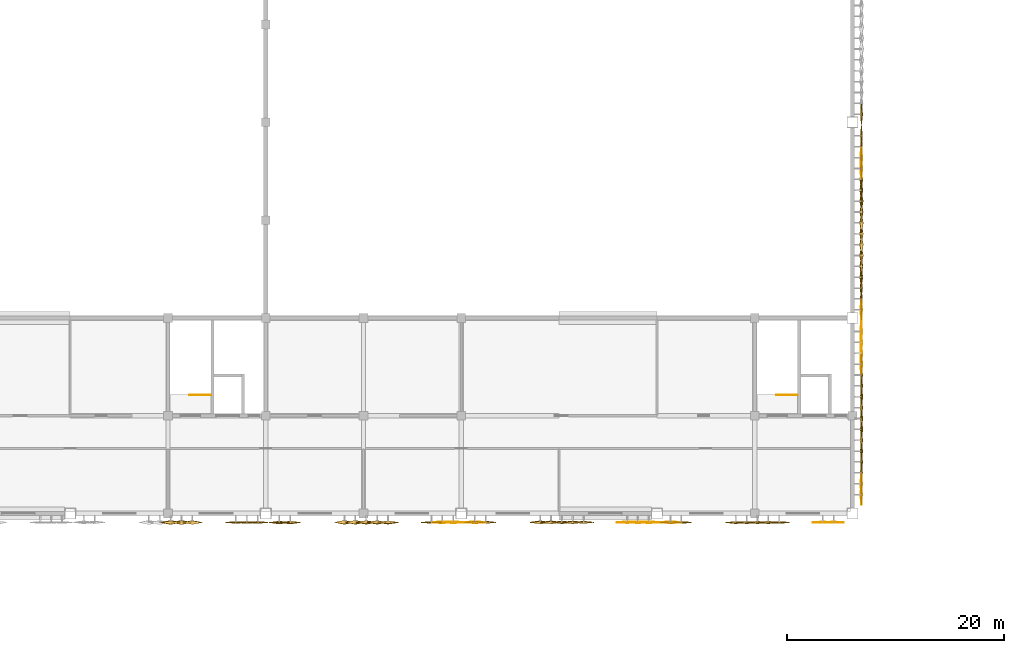
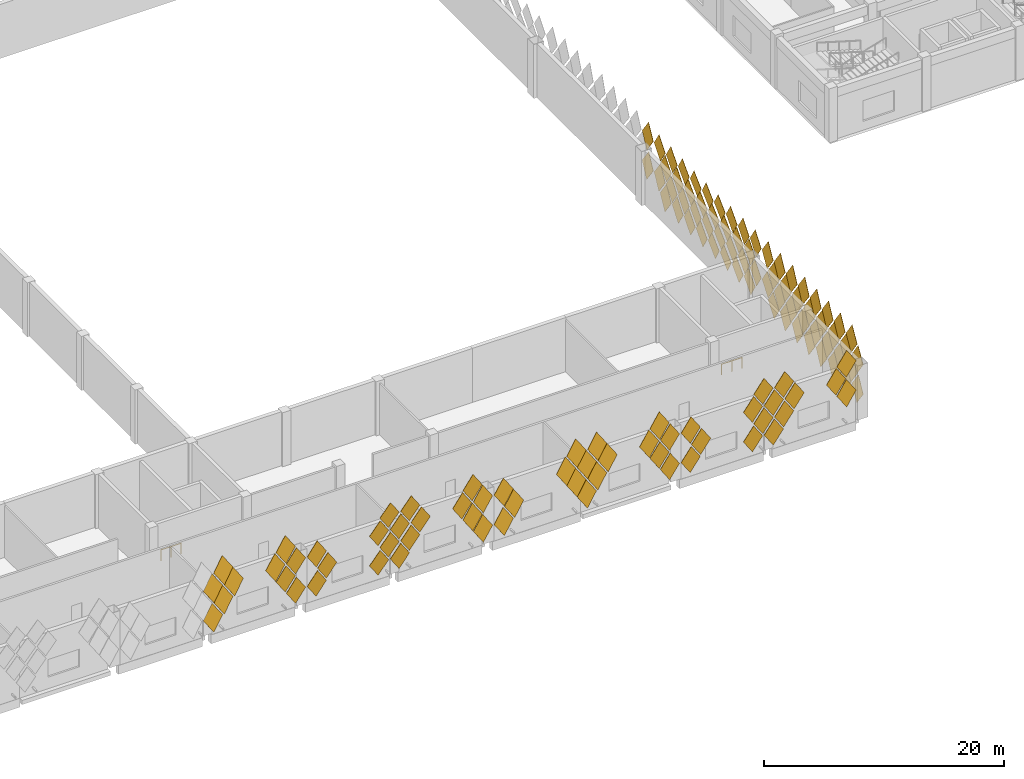
# One storey, part 173 of 185: 126 coverings, 2 railings.
"""IFC4 building model written with IfcOpenShell, lengths in metres."""

from ifc_helpers import new_model, si_unit, direction, frame, origin, origin_2d, place, context, subcontext, project, spatial, polyline, circle, outline, extrude, material, constituent, constituent_set, material_profile, profile_set, type_object, element, save


model = new_model("IFC4")

# Units and contexts
model_context = context("Model", 3, precision=1e-05, world=origin(), true_north=direction((0.0, 1.0)))
body_context = subcontext(model_context, "Body", "Model", "MODEL_VIEW")
ifc_project = project(units=[si_unit("LENGTHUNIT", "METRE"), si_unit("AREAUNIT", "SQUARE_METRE"), si_unit("VOLUMEUNIT", "CUBIC_METRE"), si_unit("PLANEANGLEUNIT", "RADIAN"), si_unit("MASSUNIT", "GRAM", prefix="KILO")], contexts=[model_context])

# Site, building, storey
site_placement = place(None, origin())
site = spatial("IfcSite", under=ifc_project, at=site_placement, CompositionType="ELEMENT")
building_placement = place(site_placement, origin())
building = spatial("IfcBuilding", under=site, at=building_placement, Name="Opaline Strait Convention Centre", CompositionType="ELEMENT")
storey_placement = place(building_placement, frame((0.0, 0.0, 6.0)))
storey = spatial("IfcBuildingStorey", under=building, at=storey_placement, Name="L01", CompositionType="ELEMENT", Elevation=6.0)

# Coverings
ifc_material_1 = material(Name="White ceramic-faced aluminium tile", Category="aluminium")
ifc_material_profile_1 = material_profile(ifc_material_1, outline(polyline([(0.927978515625, 0.0), (0.0, 1.39208984375), (-0.927978515625, 0.0), (0.0, -1.39208984375), (0.927978515625, 0.0)])), Name="Diamond tile 1856x2784")
ifc_profile_set_1 = profile_set([ifc_material_profile_1], Name="White ceramic-faced aluminium tile")
covering_type_1 = type_object("IfcCoveringType", Name="Diamond wall tile 1856x2784x30 pivot 1 deg", PredefinedType="CLADDING", material=ifc_profile_set_1)
for number, where, z_axis, x_axis, name in (
    (1, (259.25, 53.199951171875, 3.39208984375), (0.0, -0.999867829764, 0.016258013492), (1.0, 0.0, 0.0), "Wall tile XT02 S"),
    (2, (258.25, 53.199951171875, 4.89208984375), (0.0, -0.999702690643, -0.024382992455), (1.0, 0.0, 0.0), "Wall tile XT02 S"),
    (3, (259.25, 53.199951171875, 6.39208984375), (0.0, -0.999702690643, -0.024382992455), (1.0, 0.0, 0.0), "Wall tile XT02 S"),
):
    element("IfcCovering", number, at=place(storey_placement, frame(where, z_axis=z_axis, x_axis=x_axis)), inside=storey, type_object=covering_type_1, Name=name, PredefinedType="CLADDING", context=body_context, shape_type="SweptSolid", body=[
        extrude(outline(polyline([(0.927978515625, 0.0), (0.0, 1.39208984375), (-0.927978515625, 0.0), (0.0, -1.39208984375), (0.927978515625, 0.0)])), origin(), (0.0, 0.0, 1.0), 0.030029296875),
    ])
ifc_material_profile_2 = material_profile(ifc_material_1, outline(polyline([(0.927978515625, 0.0), (0.0, 1.39208984375), (-0.927978515625, 0.0), (0.0, -1.39208984375), (0.927978515625, 0.0)])), Name="Diamond tile 1856x2784")
ifc_profile_set_2 = profile_set([ifc_material_profile_2], Name="White ceramic-faced aluminium tile")
covering_type_2 = type_object("IfcCoveringType", Name="Diamond wall tile 1856x2784x30 pivot 1.5 deg", PredefinedType="CLADDING", material=ifc_profile_set_2)
for number, where, z_axis, x_axis, name in (
    (4, (261.800048828125, 55.75, 4.39208984375), (0.999471633277, 0.0, -0.032503142546), (0.0, 1.0, 0.0), "Wall tile XT03 E"),
    (5, (261.800048828125, 56.75, 5.89208984375), (0.999471633277, 0.0, -0.032503142546), (0.0, 1.0, 0.0), "Wall tile XT03 E"),
):
    element("IfcCovering", number, at=place(storey_placement, frame(where, z_axis=z_axis, x_axis=x_axis)), inside=storey, type_object=covering_type_2, Name=name, PredefinedType="CLADDING", context=body_context, shape_type="SweptSolid", body=[
        extrude(outline(polyline([(0.927978515625, 0.0), (0.0, 1.39208984375), (-0.927978515625, 0.0), (0.0, -1.39208984375), (0.927978515625, 0.0)])), origin(), (0.0, 0.0, 1.0), 0.030029296875),
    ])
ifc_material_profile_3 = material_profile(ifc_material_1, outline(polyline([(0.927978515625, 0.0), (0.0, 1.39208984375), (-0.927978515625, 0.0), (0.0, -1.39208984375), (0.927978515625, 0.0)])), Name="Diamond tile 1856x2784")
ifc_profile_set_3 = profile_set([ifc_material_profile_3], Name="White ceramic-faced aluminium tile")
covering_type_3 = type_object("IfcCoveringType", Name="Diamond wall tile 1856x2784x30 pivot 2 deg", PredefinedType="CLADDING", material=ifc_profile_set_3)
for number, where, z_axis, x_axis, name in (
    (6, (242.25, 53.199951171875, 1.89208984375), (0.0, -0.999174794796, -0.040616861577), (1.0, 0.0, 0.0), "Wall tile XT04 S"),
    (7, (241.25, 53.199951171875, 3.39208984375), (0.0, -0.999174794796, -0.040616861577), (1.0, 0.0, 0.0), "Wall tile XT04 S"),
    (8, (240.25, 53.199951171875, 4.89208984375), (0.0, -0.999471633277, 0.032503142546), (1.0, 0.0, 0.0), "Wall tile XT04 S"),
    (9, (242.25, 53.199951171875, 4.89208984375), (0.0, -0.999174794796, -0.040616861577), (1.0, 0.0, 0.0), "Wall tile XT04 S"),
    (10, (244.25, 53.199951171875, 4.89208984375), (0.0, -0.999174794796, -0.040616861577), (1.0, 0.0, 0.0), "Wall tile XT04 S"),
    (11, (241.25, 53.199951171875, 6.39208984375), (0.0, -0.999471633277, 0.032503142546), (1.0, 0.0, 0.0), "Wall tile XT04 S"),
    (12, (261.800048828125, 67.75, 1.39208984375), (0.999174794796, 0.0, -0.040616861577), (0.0, 1.0, 0.0), "Wall tile XT04 E"),
    (13, (261.800048828125, 69.75, 1.39208984375), (0.999471633277, 0.0, 0.032503142546), (0.0, 1.0, 0.0), "Wall tile XT04 E"),
    (14, (261.800048828125, 68.75, 2.89208984375), (0.999174794796, 0.0, -0.040616861577), (0.0, 1.0, 0.0), "Wall tile XT04 E"),
    (15, (261.800048828125, 70.75, 2.89208984375), (0.999471633277, 0.0, 0.032503142546), (0.0, 1.0, 0.0), "Wall tile XT04 E"),
    (16, (261.800048828125, 69.75, 4.39208984375), (0.999174794796, 0.0, -0.040616861577), (0.0, 1.0, 0.0), "Wall tile XT04 E"),
    (17, (261.800048828125, 70.75, 5.89208984375), (0.999174794796, 0.0, -0.040616861577), (0.0, 1.0, 0.0), "Wall tile XT04 E"),
    (18, (261.800048828125, 72.75, 5.89208984375), (0.999471633277, 0.0, 0.032503142546), (0.0, 1.0, 0.0), "Wall tile XT04 E"),
):
    element("IfcCovering", number, at=place(storey_placement, frame(where, z_axis=z_axis, x_axis=x_axis)), inside=storey, type_object=covering_type_3, Name=name, PredefinedType="CLADDING", context=body_context, shape_type="SweptSolid", body=[
        extrude(outline(polyline([(0.927978515625, 0.0), (0.0, 1.39208984375), (-0.927978515625, 0.0), (0.0, -1.39208984375), (0.927978515625, 0.0)])), origin(), (0.0, 0.0, 1.0), 0.030029296875),
    ])
ifc_material_profile_4 = material_profile(ifc_material_1, outline(polyline([(0.927978515625, 0.0), (0.0, 1.39208984375), (-0.927978515625, 0.0), (0.0, -1.39208984375), (0.927978515625, 0.0)])), Name="Diamond tile 1856x2784")
ifc_profile_set_4 = profile_set([ifc_material_profile_4], Name="White ceramic-faced aluminium tile")
covering_type_4 = type_object("IfcCoveringType", Name="Diamond wall tile 1856x2784x30 pivot 2.5 deg", PredefinedType="CLADDING", material=ifc_profile_set_4)
for number, where, z_axis, x_axis, name in (
    (19, (224.25, 53.199951171875, 1.89208984375), (0.0, -0.999174794796, 0.040616861577), (1.0, 0.0, 0.0), "Wall tile XT05 S"),
    (20, (223.25, 53.199951171875, 3.39208984375), (0.0, -0.999174794796, 0.040616861577), (1.0, 0.0, 0.0), "Wall tile XT05 S"),
    (21, (208.25, 53.199951171875, 4.89208984375), (0.0, -0.998812351125, -0.048722553713), (1.0, 0.0, 0.0), "Wall tile XT05 S"),
    (22, (222.25, 53.199951171875, 4.89208984375), (0.0, -0.998812351125, -0.048722553713), (1.0, 0.0, 0.0), "Wall tile XT05 S"),
    (23, (224.25, 53.199951171875, 4.89208984375), (0.0, -0.999174794796, 0.040616861577), (1.0, 0.0, 0.0), "Wall tile XT05 S"),
    (24, (226.25, 53.199951171875, 4.89208984375), (0.0, -0.999174794796, 0.040616861577), (1.0, 0.0, 0.0), "Wall tile XT05 S"),
    (25, (223.25, 53.199951171875, 6.39208984375), (0.0, -0.998812351125, -0.048722553713), (1.0, 0.0, 0.0), "Wall tile XT05 S"),
    (26, (261.800048828125, 65.75, 1.39208984375), (0.998812351125, 0.0, -0.048722553713), (0.0, 1.0, 0.0), "Wall tile XT05 E"),
    (27, (261.800048828125, 85.75, 1.39208984375), (0.999174794796, 0.0, 0.040616861577), (0.0, 1.0, 0.0), "Wall tile XT05 E"),
    (28, (261.800048828125, 56.75, 2.89208984375), (0.998812351125, 0.0, -0.048722553713), (0.0, 1.0, 0.0), "Wall tile XT05 E"),
    (29, (261.800048828125, 66.75, 2.89208984375), (0.998812351125, 0.0, -0.048722553713), (0.0, 1.0, 0.0), "Wall tile XT05 E"),
    (30, (261.800048828125, 86.75, 2.89208984375), (0.999174794796, 0.0, 0.040616861577), (0.0, 1.0, 0.0), "Wall tile XT05 E"),
    (31, (261.800048828125, 57.75, 4.39208984375), (0.998812351125, 0.0, -0.048722553713), (0.0, 1.0, 0.0), "Wall tile XT05 E"),
):
    element("IfcCovering", number, at=place(storey_placement, frame(where, z_axis=z_axis, x_axis=x_axis)), inside=storey, type_object=covering_type_4, Name=name, PredefinedType="CLADDING", context=body_context, shape_type="SweptSolid", body=[
        extrude(outline(polyline([(0.927978515625, 0.0), (0.0, 1.39208984375), (-0.927978515625, 0.0), (0.0, -1.39208984375), (0.927978515625, 0.0)])), origin(), (0.0, 0.0, 1.0), 0.030029296875),
    ])
ifc_material_profile_5 = material_profile(ifc_material_1, outline(polyline([(0.927978515625, 0.0), (0.0, 1.39208984375), (-0.927978515625, 0.0), (0.0, -1.39208984375), (0.927978515625, 0.0)])), Name="Diamond tile 1856x2784")
ifc_profile_set_5 = profile_set([ifc_material_profile_5], Name="White ceramic-faced aluminium tile")
covering_type_5 = type_object("IfcCoveringType", Name="Diamond wall tile 1856x2784x30 pivot 3 deg", PredefinedType="CLADDING", material=ifc_profile_set_5)
for number, where, z_axis, x_axis, name in (
    (32, (206.25, 53.199951171875, 1.89208984375), (0.0, -0.998384516691, -0.056818631031), (1.0, 0.0, 0.0), "Wall tile XT06 S"),
    (33, (205.25, 53.199951171875, 3.39208984375), (0.0, -0.998384516691, -0.056818631031), (1.0, 0.0, 0.0), "Wall tile XT06 S"),
    (34, (245.25, 53.199951171875, 3.39208984375), (0.0, -0.998384516691, -0.056818631031), (1.0, 0.0, 0.0), "Wall tile XT06 S"),
    (35, (204.25, 53.199951171875, 4.89208984375), (0.0, -0.998812351125, 0.048722553713), (1.0, 0.0, 0.0), "Wall tile XT06 S"),
    (36, (206.25, 53.199951171875, 4.89208984375), (0.0, -0.998384516691, -0.056818631031), (1.0, 0.0, 0.0), "Wall tile XT06 S"),
    (37, (254.25, 53.199951171875, 4.89208984375), (0.0, -0.998384516691, -0.056818631031), (1.0, 0.0, 0.0), "Wall tile XT06 S"),
    (38, (205.25, 53.199951171875, 6.39208984375), (0.0, -0.998812351125, 0.048722553713), (1.0, 0.0, 0.0), "Wall tile XT06 S"),
    (39, (261.800048828125, 55.75, 1.39208984375), (0.998384516691, 0.0, -0.056818631031), (0.0, 1.0, 0.0), "Wall tile XT06 E"),
    (40, (261.800048828125, 87.75, 1.39208984375), (0.998384516691, 0.0, -0.056818631031), (0.0, 1.0, 0.0), "Wall tile XT06 E"),
    (41, (261.800048828125, 72.75, 2.89208984375), (0.998812351125, 0.0, 0.048722553713), (0.0, 1.0, 0.0), "Wall tile XT06 E"),
    (42, (261.800048828125, 88.75, 2.89208984375), (0.998384516691, 0.0, -0.056818631031), (0.0, 1.0, 0.0), "Wall tile XT06 E"),
    (43, (261.800048828125, 67.75, 4.39208984375), (0.998384516691, 0.0, -0.056818631031), (0.0, 1.0, 0.0), "Wall tile XT06 E"),
    (44, (261.800048828125, 73.75, 4.39208984375), (0.998812351125, 0.0, 0.048722553713), (0.0, 1.0, 0.0), "Wall tile XT06 E"),
    (45, (261.800048828125, 87.75, 4.39208984375), (0.998812351125, 0.0, 0.048722553713), (0.0, 1.0, 0.0), "Wall tile XT06 E"),
    (46, (261.800048828125, 58.75, 5.89208984375), (0.998384516691, 0.0, -0.056818631031), (0.0, 1.0, 0.0), "Wall tile XT06 E"),
    (47, (261.800048828125, 68.75, 5.89208984375), (0.998384516691, 0.0, -0.056818631031), (0.0, 1.0, 0.0), "Wall tile XT06 E"),
    (48, (261.800048828125, 74.75, 5.89208984375), (0.998812351125, 0.0, 0.048722553713), (0.0, 1.0, 0.0), "Wall tile XT06 E"),
    (49, (261.800048828125, 88.75, 5.89208984375), (0.998812351125, 0.0, 0.048722553713), (0.0, 1.0, 0.0), "Wall tile XT06 E"),
    (50, (261.800048828125, 90.75, 5.89208984375), (0.998384516691, 0.0, -0.056818631031), (0.0, 1.0, 0.0), "Wall tile XT06 E"),
):
    element("IfcCovering", number, at=place(storey_placement, frame(where, z_axis=z_axis, x_axis=x_axis)), inside=storey, type_object=covering_type_5, Name=name, PredefinedType="CLADDING", context=body_context, shape_type="SweptSolid", body=[
        extrude(outline(polyline([(0.927978515625, 0.0), (0.0, 1.39208984375), (-0.927978515625, 0.0), (0.0, -1.39208984375), (0.927978515625, 0.0)])), origin(), (0.0, 0.0, 1.0), 0.030029296875),
    ])
ifc_material_profile_6 = material_profile(ifc_material_1, outline(polyline([(0.927978515625, 0.0), (0.0, 1.39208984375), (-0.927978515625, 0.0), (0.0, -1.39208984375), (0.927978515625, 0.0)])), Name="Diamond tile 1856x2784")
ifc_profile_set_6 = profile_set([ifc_material_profile_6], Name="White ceramic-faced aluminium tile")
covering_type_6 = type_object("IfcCoveringType", Name="Diamond wall tile 1856x2784x30 pivot 3.5 deg", PredefinedType="CLADDING", material=ifc_profile_set_6)
for number, where, z_axis, x_axis, name in (
    (51, (244.25, 53.199951171875, 1.89208984375), (0.0, -0.99785694905, -0.065433242561), (1.0, 0.0, 0.0), "Wall tile XT07 S"),
    (52, (252.25, 53.199951171875, 1.89208984375), (0.0, -0.99785694905, -0.065433242561), (1.0, 0.0, 0.0), "Wall tile XT07 S"),
    (53, (253.25, 53.199951171875, 3.39208984375), (0.0, -0.99785694905, -0.065433242561), (1.0, 0.0, 0.0), "Wall tile XT07 S"),
    (54, (261.800048828125, 57.75, 1.39208984375), (0.99785694905, 0.0, -0.065433242561), (0.0, 1.0, 0.0), "Wall tile XT07 E"),
    (55, (261.800048828125, 63.75, 1.39208984375), (0.99785694905, 0.0, -0.065433242561), (0.0, 1.0, 0.0), "Wall tile XT07 E"),
    (56, (261.800048828125, 83.75, 1.39208984375), (0.99835799028, 0.0, 0.057282835508), (0.0, 1.0, 0.0), "Wall tile XT07 E"),
    (57, (261.800048828125, 84.75, 2.89208984375), (0.99835799028, 0.0, 0.057282835508), (0.0, 1.0, 0.0), "Wall tile XT07 E"),
    (58, (261.800048828125, 59.75, 4.39208984375), (0.99785694905, 0.0, -0.065433242561), (0.0, 1.0, 0.0), "Wall tile XT07 E"),
    (59, (261.800048828125, 60.75, 5.89208984375), (0.99785694905, 0.0, -0.065433242561), (0.0, 1.0, 0.0), "Wall tile XT07 E"),
):
    element("IfcCovering", number, at=place(storey_placement, frame(where, z_axis=z_axis, x_axis=x_axis)), inside=storey, type_object=covering_type_6, Name=name, PredefinedType="CLADDING", context=body_context, shape_type="SweptSolid", body=[
        extrude(outline(polyline([(0.927978515625, 0.0), (0.0, 1.39208984375), (-0.927978515625, 0.0), (0.0, -1.39208984375), (0.927978515625, 0.0)])), origin(), (0.0, 0.0, 1.0), 0.02978515625),
    ])
ifc_material_profile_7 = material_profile(ifc_material_1, outline(polyline([(0.927978515625, 0.0), (0.0, 1.39208984375), (-0.927978515625, 0.0), (0.0, -1.39208984375), (0.927978515625, 0.0)])), Name="Diamond tile 1856x2784")
ifc_profile_set_7 = profile_set([ifc_material_profile_7], Name="White ceramic-faced aluminium tile")
covering_type_7 = type_object("IfcCoveringType", Name="Diamond wall tile 1856x2784x30 pivot 4 deg", PredefinedType="CLADDING", material=ifc_profile_set_7)
for number, where, z_axis, x_axis, name in (
    (60, (250.25, 53.199951171875, 1.89208984375), (0.0, -0.997290013252, -0.073570574748), (1.0, 0.0, 0.0), "Wall tile XT08 S"),
    (61, (251.25, 53.199951171875, 3.39208984375), (0.0, -0.997290013252, -0.073570574748), (1.0, 0.0, 0.0), "Wall tile XT08 S"),
    (62, (250.25, 53.199951171875, 4.89208984375), (0.0, -0.997290013252, -0.073570574748), (1.0, 0.0, 0.0), "Wall tile XT08 S"),
    (63, (252.25, 53.199951171875, 4.89208984375), (0.0, -0.997290013252, -0.073570574748), (1.0, 0.0, 0.0), "Wall tile XT08 S"),
    (64, (251.25, 53.199951171875, 6.39208984375), (0.0, -0.997290013252, -0.073570574748), (1.0, 0.0, 0.0), "Wall tile XT08 S"),
    (65, (253.25, 53.199951171875, 6.39208984375), (0.0, -0.997290013252, -0.073570574748), (1.0, 0.0, 0.0), "Wall tile XT08 S"),
    (66, (261.800048828125, 59.75, 1.39208984375), (0.997290013252, 0.0, -0.073570574748), (0.0, 1.0, 0.0), "Wall tile XT08 E"),
    (67, (261.800048828125, 61.75, 1.39208984375), (0.997290013252, 0.0, -0.073570574748), (0.0, 1.0, 0.0), "Wall tile XT08 E"),
    (68, (261.800048828125, 58.75, 2.89208984375), (0.997290013252, 0.0, -0.073570574748), (0.0, 1.0, 0.0), "Wall tile XT08 E"),
    (69, (261.800048828125, 60.75, 2.89208984375), (0.997290013252, 0.0, -0.073570574748), (0.0, 1.0, 0.0), "Wall tile XT08 E"),
    (70, (261.800048828125, 62.75, 2.89208984375), (0.997290013252, 0.0, -0.073570574748), (0.0, 1.0, 0.0), "Wall tile XT08 E"),
    (71, (261.800048828125, 64.75, 2.89208984375), (0.997290013252, 0.0, -0.073570574748), (0.0, 1.0, 0.0), "Wall tile XT08 E"),
    (72, (261.800048828125, 90.75, 2.89208984375), (0.997290013252, 0.0, -0.073570574748), (0.0, 1.0, 0.0), "Wall tile XT08 E"),
    (73, (261.800048828125, 63.75, 4.39208984375), (0.997290013252, 0.0, -0.073570574748), (0.0, 1.0, 0.0), "Wall tile XT08 E"),
    (74, (261.800048828125, 65.75, 4.39208984375), (0.997290013252, 0.0, -0.073570574748), (0.0, 1.0, 0.0), "Wall tile XT08 E"),
    (75, (261.800048828125, 85.75, 4.39208984375), (0.99785694905, 0.0, 0.065433242561), (0.0, 1.0, 0.0), "Wall tile XT08 E"),
    (76, (261.800048828125, 66.75, 5.89208984375), (0.997290013252, 0.0, -0.073570574748), (0.0, 1.0, 0.0), "Wall tile XT08 E"),
    (77, (261.800048828125, 86.75, 5.89208984375), (0.99785694905, 0.0, 0.065433242561), (0.0, 1.0, 0.0), "Wall tile XT08 E"),
):
    element("IfcCovering", number, at=place(storey_placement, frame(where, z_axis=z_axis, x_axis=x_axis)), inside=storey, type_object=covering_type_7, Name=name, PredefinedType="CLADDING", context=body_context, shape_type="SweptSolid", body=[
        extrude(outline(polyline([(0.927978515625, 0.0), (0.0, 1.39208984375), (-0.927978515625, 0.0), (0.0, -1.39208984375), (0.927978515625, 0.0)])), origin(), (0.0, 0.0, 1.0), 0.02978515625),
    ])
ifc_material_profile_8 = material_profile(ifc_material_1, outline(polyline([(0.927978515625, 0.0), (0.0, 1.39208984375), (-0.927978515625, 0.0), (0.0, -1.39208984375), (0.927978515625, 0.0)])), Name="Diamond tile 1856x2784")
ifc_profile_set_8 = profile_set([ifc_material_profile_8], Name="White ceramic-faced aluminium tile")
covering_type_8 = type_object("IfcCoveringType", Name="Diamond wall tile 1856x2784x30 pivot 4.5 deg", PredefinedType="CLADDING", material=ifc_profile_set_8)
for number, where, z_axis, x_axis, name in (
    (78, (226.25, 53.199951171875, 1.89208984375), (0.0, -0.997290013252, 0.073570574748), (1.0, 0.0, 0.0), "Wall tile XT09 S"),
    (79, (234.25, 53.199951171875, 1.89208984375), (0.0, -0.997290013252, 0.073570574748), (1.0, 0.0, 0.0), "Wall tile XT09 S"),
    (80, (227.25, 53.199951171875, 3.39208984375), (0.0, -0.997290013252, 0.073570574748), (1.0, 0.0, 0.0), "Wall tile XT09 S"),
    (81, (235.25, 53.199951171875, 3.39208984375), (0.0, -0.997290013252, 0.073570574748), (1.0, 0.0, 0.0), "Wall tile XT09 S"),
    (82, (236.25, 53.199951171875, 4.89208984375), (0.0, -0.997290013252, 0.073570574748), (1.0, 0.0, 0.0), "Wall tile XT09 S"),
    (83, (261.800048828125, 73.75, 1.39208984375), (0.997290013252, 0.0, 0.073570574748), (0.0, 1.0, 0.0), "Wall tile XT09 E"),
    (84, (261.800048828125, 61.75, 4.39208984375), (0.996657521232, 0.0, -0.081693239445), (0.0, 1.0, 0.0), "Wall tile XT09 E"),
    (85, (261.800048828125, 62.75, 5.89208984375), (0.996657521232, 0.0, -0.081693239445), (0.0, 1.0, 0.0), "Wall tile XT09 E"),
    (86, (261.800048828125, 64.75, 5.89208984375), (0.996657521232, 0.0, -0.081693239445), (0.0, 1.0, 0.0), "Wall tile XT09 E"),
):
    element("IfcCovering", number, at=place(storey_placement, frame(where, z_axis=z_axis, x_axis=x_axis)), inside=storey, type_object=covering_type_8, Name=name, PredefinedType="CLADDING", context=body_context, shape_type="SweptSolid", body=[
        extrude(outline(polyline([(0.927978515625, 0.0), (0.0, 1.39208984375), (-0.927978515625, 0.0), (0.0, -1.39208984375), (0.927978515625, 0.0)])), origin(), (0.0, 0.0, 1.0), 0.02978515625),
    ])
ifc_material_profile_9 = material_profile(ifc_material_1, outline(polyline([(0.927978515625, 0.0), (0.0, 1.39208984375), (-0.927978515625, 0.0), (0.0, -1.39208984375), (0.927978515625, 0.0)])), Name="Diamond tile 1856x2784")
ifc_profile_set_9 = profile_set([ifc_material_profile_9], Name="White ceramic-faced aluminium tile")
covering_type_9 = type_object("IfcCoveringType", Name="Diamond wall tile 1856x2784x30 pivot 5 deg", PredefinedType="CLADDING", material=ifc_profile_set_9)
for number, where, z_axis, x_axis, name in (
    (87, (208.25, 53.199951171875, 1.89208984375), (0.0, -0.995959849254, -0.089799658539), (1.0, 0.0, 0.0), "Wall tile XT10 S"),
    (88, (209.25, 53.199951171875, 3.39208984375), (0.0, -0.995959849254, -0.089799658539), (1.0, 0.0, 0.0), "Wall tile XT10 S"),
    (89, (261.800048828125, 81.75, 1.39208984375), (0.996657521232, 0.0, 0.081693239445), (0.0, 1.0, 0.0), "Wall tile XT10 E"),
    (90, (261.800048828125, 74.75, 2.89208984375), (0.996657521232, 0.0, 0.081693239445), (0.0, 1.0, 0.0), "Wall tile XT10 E"),
    (91, (261.800048828125, 75.75, 4.39208984375), (0.996657521232, 0.0, 0.081693239445), (0.0, 1.0, 0.0), "Wall tile XT10 E"),
    (92, (261.800048828125, 76.75, 5.89208984375), (0.996657521232, 0.0, 0.081693239445), (0.0, 1.0, 0.0), "Wall tile XT10 E"),
):
    element("IfcCovering", number, at=place(storey_placement, frame(where, z_axis=z_axis, x_axis=x_axis)), inside=storey, type_object=covering_type_9, Name=name, PredefinedType="CLADDING", context=body_context, shape_type="SweptSolid", body=[
        extrude(outline(polyline([(0.927978515625, 0.0), (0.0, 1.39208984375), (-0.927978515625, 0.0), (0.0, -1.39208984375), (0.927978515625, 0.0)])), origin(), (0.0, 0.0, 1.0), 0.02978515625),
    ])
ifc_material_profile_10 = material_profile(ifc_material_1, outline(polyline([(0.927978515625, 0.0), (0.0, 1.39208984375), (-0.927978515625, 0.0), (0.0, -1.39208984375), (0.927978515625, 0.0)])), Name="Diamond tile 1856x2784")
ifc_profile_set_10 = profile_set([ifc_material_profile_10], Name="White ceramic-faced aluminium tile")
covering_type_10 = type_object("IfcCoveringType", Name="Diamond wall tile 1856x2784x30 pivot 5.5 deg", PredefinedType="CLADDING", material=ifc_profile_set_10)
for number, where, z_axis, x_axis, name in (
    (93, (234.25, 53.199951171875, 4.89208984375), (0.0, -0.995959849254, 0.089799658539), (1.0, 0.0, 0.0), "Wall tile XT11 S"),
    (94, (235.25, 53.199951171875, 6.39208984375), (0.0, -0.995959849254, 0.089799658539), (1.0, 0.0, 0.0), "Wall tile XT11 S"),
    (95, (261.800048828125, 82.75, 2.89208984375), (0.995959849254, 0.0, 0.089799658539), (0.0, 1.0, 0.0), "Wall tile XT11 E"),
):
    element("IfcCovering", number, at=place(storey_placement, frame(where, z_axis=z_axis, x_axis=x_axis)), inside=storey, type_object=covering_type_10, Name=name, PredefinedType="CLADDING", context=body_context, shape_type="SweptSolid", body=[
        extrude(outline(polyline([(0.927978515625, 0.0), (0.0, 1.39208984375), (-0.927978515625, 0.0), (0.0, -1.39208984375), (0.927978515625, 0.0)])), origin(), (0.0, 0.0, 1.0), 0.02978515625),
    ])
ifc_material_profile_11 = material_profile(ifc_material_1, outline(polyline([(0.927978515625, 0.0), (0.0, 1.39208984375), (-0.927978515625, 0.0), (0.0, -1.39208984375), (0.927978515625, 0.0)])), Name="Diamond tile 1856x2784")
ifc_profile_set_11 = profile_set([ifc_material_profile_11], Name="White ceramic-faced aluminium tile")
covering_type_11 = type_object("IfcCoveringType", Name="Diamond wall tile 1856x2784x30 pivot 6 deg", PredefinedType="CLADDING", material=ifc_profile_set_11)
for number, where, z_axis, x_axis, name in (
    (96, (216.25, 53.199951171875, 1.89208984375), (0.0, -0.994370656274, -0.105957528947), (1.0, 0.0, 0.0), "Wall tile XT12 S"),
    (97, (217.25, 53.199951171875, 3.39208984375), (0.0, -0.994370656274, -0.105957528947), (1.0, 0.0, 0.0), "Wall tile XT12 S"),
    (98, (233.25, 53.199951171875, 3.39208984375), (0.0, -0.995197410875, 0.097888269922), (1.0, 0.0, 0.0), "Wall tile XT12 S"),
    (99, (218.25, 53.199951171875, 4.89208984375), (0.0, -0.994370656274, -0.105957528947), (1.0, 0.0, 0.0), "Wall tile XT12 S"),
    (100, (232.25, 53.199951171875, 4.89208984375), (0.0, -0.995197410875, 0.097888269922), (1.0, 0.0, 0.0), "Wall tile XT12 S"),
    (101, (233.25, 53.199951171875, 6.39208984375), (0.0, -0.995197410875, 0.097888269922), (1.0, 0.0, 0.0), "Wall tile XT12 S"),
    (102, (261.800048828125, 75.75, 1.39208984375), (0.995197410875, 0.0, 0.097888269922), (0.0, 1.0, 0.0), "Wall tile XT12 E"),
    (103, (261.800048828125, 76.75, 2.89208984375), (0.995197410875, 0.0, 0.097888269922), (0.0, 1.0, 0.0), "Wall tile XT12 E"),
    (104, (261.800048828125, 83.75, 4.39208984375), (0.995197410875, 0.0, 0.097888269922), (0.0, 1.0, 0.0), "Wall tile XT12 E"),
    (105, (261.800048828125, 84.75, 5.89208984375), (0.995197410875, 0.0, 0.097888269922), (0.0, 1.0, 0.0), "Wall tile XT12 E"),
):
    element("IfcCovering", number, at=place(storey_placement, frame(where, z_axis=z_axis, x_axis=x_axis)), inside=storey, type_object=covering_type_11, Name=name, PredefinedType="CLADDING", context=body_context, shape_type="SweptSolid", body=[
        extrude(outline(polyline([(0.927978515625, 0.0), (0.0, 1.39208984375), (-0.927978515625, 0.0), (0.0, -1.39208984375), (0.927978515625, 0.0)])), origin(), (0.0, 0.0, 1.0), 0.030029296875),
    ])
ifc_material_profile_12 = material_profile(ifc_material_1, outline(polyline([(0.927978515625, 0.0), (0.0, 1.39208984375), (-0.927978515625, 0.0), (0.0, -1.39208984375), (0.927978515625, 0.0)])), Name="Diamond tile 1856x2784")
ifc_profile_set_12 = profile_set([ifc_material_profile_12], Name="White ceramic-faced aluminium tile")
covering_type_12 = type_object("IfcCoveringType", Name="Diamond wall tile 1856x2784x30 pivot 6.5 deg", PredefinedType="CLADDING", material=ifc_profile_set_12)
for number, where, z_axis, x_axis, name in (
    (106, (198.25, 53.199951171875, 1.89208984375), (0.0, -0.993480071526, 0.114005909847), (1.0, 0.0, 0.0), "Wall tile XT13 S"),
    (107, (261.800048828125, 79.75, 1.39208984375), (0.993480071526, 0.0, 0.114005909847), (0.0, 1.0, 0.0), "Wall tile XT13 E"),
    (108, (261.800048828125, 80.75, 2.89208984375), (0.993480071526, 0.0, 0.114005909847), (0.0, 1.0, 0.0), "Wall tile XT13 E"),
    (109, (261.800048828125, 77.75, 4.39208984375), (0.993480071526, 0.0, 0.114005909847), (0.0, 1.0, 0.0), "Wall tile XT13 E"),
    (110, (261.800048828125, 81.75, 4.39208984375), (0.993480071526, 0.0, 0.114005909847), (0.0, 1.0, 0.0), "Wall tile XT13 E"),
    (111, (261.800048828125, 78.75, 5.89208984375), (0.993480071526, 0.0, 0.114005909847), (0.0, 1.0, 0.0), "Wall tile XT13 E"),
):
    element("IfcCovering", number, at=place(storey_placement, frame(where, z_axis=z_axis, x_axis=x_axis)), inside=storey, type_object=covering_type_12, Name=name, PredefinedType="CLADDING", context=body_context, shape_type="SweptSolid", body=[
        extrude(outline(polyline([(0.927978515625, 0.0), (0.0, 1.39208984375), (-0.927978515625, 0.0), (0.0, -1.39208984375), (0.927978515625, 0.0)])), origin(), (0.0, 0.0, 1.0), 0.030029296875),
    ])
ifc_material_profile_13 = material_profile(ifc_material_1, outline(polyline([(0.927978515625, 0.0), (0.0, 1.39208984375), (-0.927978515625, 0.0), (0.0, -1.39208984375), (0.927978515625, 0.0)])), Name="Diamond tile 1856x2784")
ifc_profile_set_13 = profile_set([ifc_material_profile_13], Name="White ceramic-faced aluminium tile")
covering_type_13 = type_object("IfcCoveringType", Name="Diamond wall tile 1856x2784x30 pivot 7 deg", PredefinedType="CLADDING", material=ifc_profile_set_13)
for number, where, z_axis, x_axis, name in (
    (112, (199.25, 53.199951171875, 3.39208984375), (0.0, -0.992526177815, 0.122031907108), (1.0, 0.0, 0.0), "Wall tile XT14 S"),
    (113, (200.25, 53.199951171875, 4.89208984375), (0.0, -0.992526177815, 0.122031907108), (1.0, 0.0, 0.0), "Wall tile XT14 S"),
    (114, (216.25, 53.199951171875, 4.89208984375), (0.0, -0.992526177815, -0.122031907108), (1.0, 0.0, 0.0), "Wall tile XT14 S"),
    (115, (217.25, 53.199951171875, 6.39208984375), (0.0, -0.992526177815, -0.122031907108), (1.0, 0.0, 0.0), "Wall tile XT14 S"),
    (116, (261.800048828125, 77.75, 1.39208984375), (0.992526177815, 0.0, 0.122031907108), (0.0, 1.0, 0.0), "Wall tile XT14 E"),
    (117, (261.800048828125, 78.75, 2.89208984375), (0.992526177815, 0.0, 0.122031907108), (0.0, 1.0, 0.0), "Wall tile XT14 E"),
    (118, (261.800048828125, 79.75, 4.39208984375), (0.992526177815, 0.0, 0.122031907108), (0.0, 1.0, 0.0), "Wall tile XT14 E"),
    (119, (261.800048828125, 80.75, 5.89208984375), (0.992526177815, 0.0, 0.122031907108), (0.0, 1.0, 0.0), "Wall tile XT14 E"),
    (120, (261.800048828125, 82.75, 5.89208984375), (0.992526177815, 0.0, 0.122031907108), (0.0, 1.0, 0.0), "Wall tile XT14 E"),
):
    element("IfcCovering", number, at=place(storey_placement, frame(where, z_axis=z_axis, x_axis=x_axis)), inside=storey, type_object=covering_type_13, Name=name, PredefinedType="CLADDING", context=body_context, shape_type="SweptSolid", body=[
        extrude(outline(polyline([(0.927978515625, 0.0), (0.0, 1.39208984375), (-0.927978515625, 0.0), (0.0, -1.39208984375), (0.927978515625, 0.0)])), origin(), (0.0, 0.0, 1.0), 0.030029296875),
    ])
ifc_material_profile_14 = material_profile(ifc_material_1, outline(polyline([(0.927978515625, 0.0), (0.0, 1.39208984375), (-0.927978515625, 0.0), (0.0, -1.39208984375), (0.927978515625, 0.0)])), Name="Diamond tile 1856x2784")
ifc_profile_set_14 = profile_set([ifc_material_profile_14], Name="White ceramic-faced aluminium tile")
covering_type_14 = type_object("IfcCoveringType", Name="Diamond wall tile 1856x2784x30 pivot 7.5 deg", PredefinedType="CLADDING", material=ifc_profile_set_14)
for number, where, z_axis, x_axis, name in (
    (121, (214.25, 53.199951171875, 1.89208984375), (0.0, -0.991509530601, -0.1300340368), (1.0, 0.0, 0.0), "Wall tile XT15 S"),
    (122, (215.25, 53.199951171875, 3.39208984375), (0.0, -0.991509530601, -0.1300340368), (1.0, 0.0, 0.0), "Wall tile XT15 S"),
    (123, (214.25, 53.199951171875, 4.89208984375), (0.0, -0.991509530601, -0.1300340368), (1.0, 0.0, 0.0), "Wall tile XT15 S"),
    (124, (215.25, 53.199951171875, 6.39208984375), (0.0, -0.991509530601, -0.1300340368), (1.0, 0.0, 0.0), "Wall tile XT15 S"),
):
    element("IfcCovering", number, at=place(storey_placement, frame(where, z_axis=z_axis, x_axis=x_axis)), inside=storey, type_object=covering_type_14, Name=name, PredefinedType="CLADDING", context=body_context, shape_type="SweptSolid", body=[
        extrude(outline(polyline([(0.927978515625, 0.0), (0.0, 1.39208984375), (-0.927978515625, 0.0), (0.0, -1.39208984375), (0.927978515625, 0.0)])), origin(), (0.0, 0.0, 1.0), 0.030029296875),
    ])
ifc_material_profile_15 = material_profile(ifc_material_1, outline(polyline([(0.927978515625, 0.0), (0.0, 1.39208984375), (-0.927978515625, 0.0), (0.0, -1.39208984375), (0.927978515625, 0.0)])), Name="Diamond tile 1856x2784")
ifc_profile_set_15 = profile_set([ifc_material_profile_15], Name="White ceramic-faced aluminium tile")
covering_type_15 = type_object("IfcCoveringType", Name="Diamond wall tile 1856x2784x30 pivot 8 deg", PredefinedType="CLADDING", material=ifc_profile_set_15)
for number, where, z_axis, x_axis, name in (
    (125, (198.25, 53.199951171875, 4.89208984375), (0.0, -0.990274204789, 0.139129433731), (1.0, 0.0, 0.0), "Wall tile XT16 S"),
    (126, (199.25, 53.199951171875, 6.39208984375), (0.0, -0.990274204789, 0.139129433731), (1.0, 0.0, 0.0), "Wall tile XT16 S"),
):
    element("IfcCovering", number, at=place(storey_placement, frame(where, z_axis=z_axis, x_axis=x_axis)), inside=storey, type_object=covering_type_15, Name=name, PredefinedType="CLADDING", context=body_context, shape_type="SweptSolid", body=[
        extrude(outline(polyline([(0.927978515625, 0.0), (0.0, 1.39208984375), (-0.927978515625, 0.0), (0.0, -1.39208984375), (0.927978515625, 0.0)])), origin(), (0.0, 0.0, 1.0), 0.02978515625),
    ])

# Railings
ifc_material_2 = material(Name="Steel Q235B", Category="steel")
ifc_constituent_1 = constituent(ifc_material_2, Name="Frame")
ifc_material_3 = material(Name="Safety glass, bonded interlayer", Category="glass")
ifc_constituent_2 = constituent(ifc_material_3, Name="Infill")
ifc_constituent_set = constituent_set(constituents=[ifc_constituent_1, ifc_constituent_2], Name="Steel Q235B, Safety glass, bonded interlayer")
railing_type = type_object("IfcRailingType", Name="Stair guard 1100 steel and glass", PredefinedType="GUARDRAIL", material=ifc_constituent_set)
for number, where, name in (
    (127, (201.949951171875, 64.89990234375, 0.0), "L01 XST3 top well guard 1"),
    (128, (255.949951171875, 64.89990234375, 0.0), "L01 XST4 top well guard 1"),
):
    element("IfcRailing", number, at=place(storey_placement, frame(where)), inside=storey, type_object=railing_type, Name=name, PredefinedType="GUARDRAIL", context=body_context, shape_type="SweptSolid", body=[
        extrude(circle(Radius=0.02392578125, at=origin_2d()), frame((0.0, 0.0, 1.076171875), z_axis=(-1.0, 0.0, 0.0), x_axis=(0.0, -1.0, 0.0)), (0.0, 0.0, 1.0), 1.949951171875),
        extrude(circle(Radius=0.02099609375, at=origin_2d()), origin(), (0.0, 0.0, 1.0), 1.052001953125),
        extrude(circle(Radius=0.02099609375, at=origin_2d()), frame((-0.97509765625, 0.0, 0.0)), (0.0, 0.0, 1.0), 1.052001953125),
        extrude(circle(Radius=0.02099609375, at=origin_2d()), frame((-1.949951171875, 0.0, 0.0)), (0.0, 0.0, 1.0), 1.052001953125),
    ])

save(model, "model.ifc")
